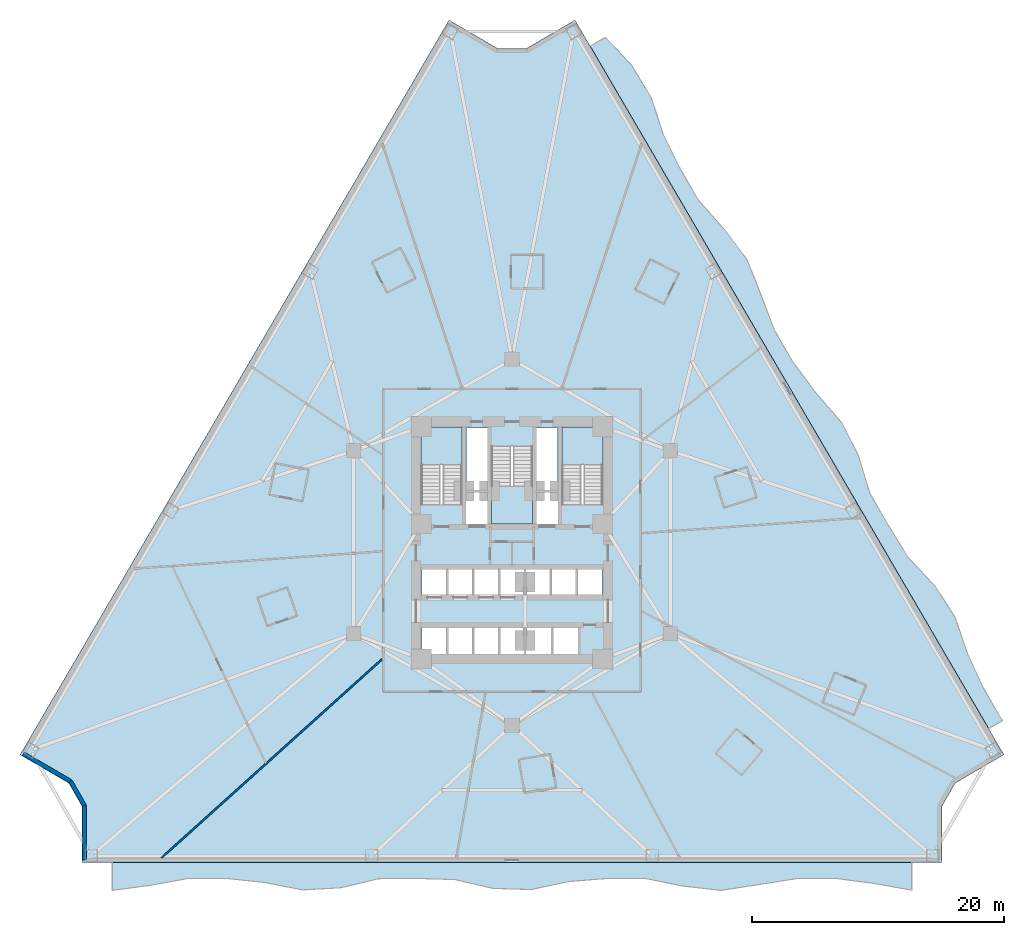
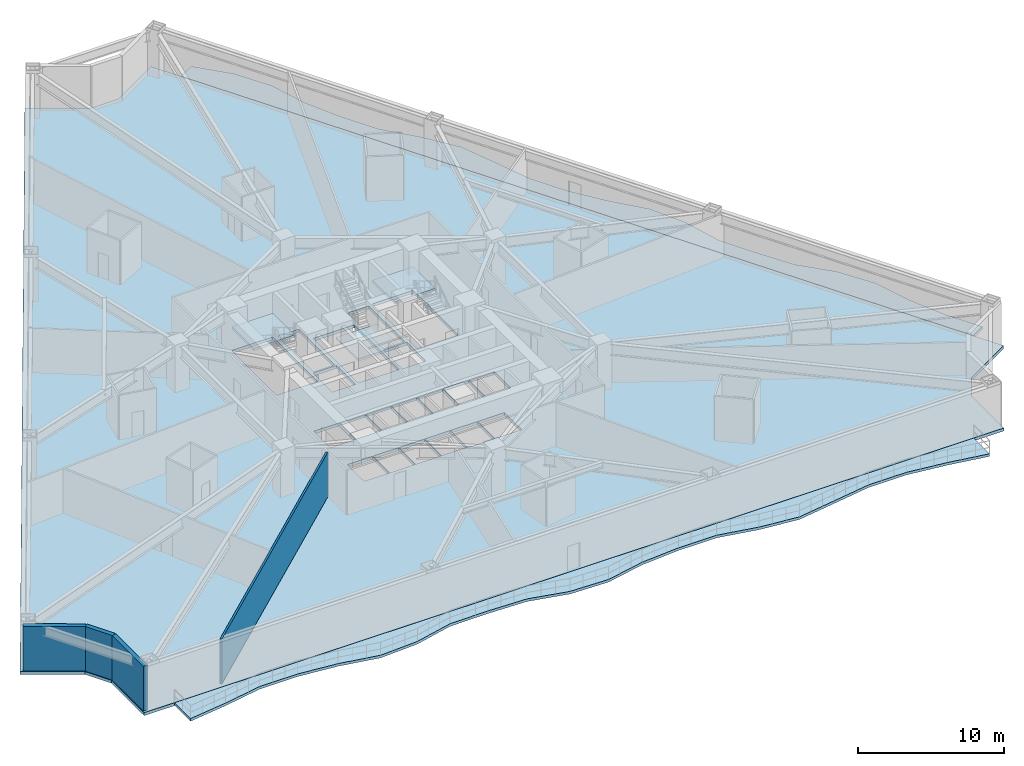
# One storey, part 2 of 10: 6 slabs, 4 walls, 3 elements without a shape of their own.
"""IFC4 building model written with IfcOpenShell, lengths in metres."""

from ifc_helpers import new_model, si_unit, direction, frame, frame_2d, origin, place, context, subcontext, project, spatial, polyline, rectangle, outline, extrude, material, layer, layer_set, type_object, element, aggregate, save


model = new_model("IFC4")

# Units and contexts
model_context = context("Model", 3, precision=1e-05, world=origin(), true_north=direction((0.0, 1.0)))
body_context = subcontext(model_context, "Body", "Model", "MODEL_VIEW")
ifc_project = project(units=[si_unit("LENGTHUNIT", "METRE"), si_unit("AREAUNIT", "SQUARE_METRE"), si_unit("VOLUMEUNIT", "CUBIC_METRE"), si_unit("PLANEANGLEUNIT", "RADIAN"), si_unit("MASSUNIT", "GRAM", prefix="KILO")], contexts=[model_context])

# Site, building, storey
site_placement = place(None, origin())
site = spatial("IfcSite", under=ifc_project, at=site_placement, CompositionType="ELEMENT")
building_placement = place(site_placement, origin())
building = spatial("IfcBuilding", under=site, at=building_placement, Name="Apsidion Concourse Tower", CompositionType="ELEMENT")
storey_placement = place(building_placement, frame((0.0, 0.0, 38.39990234375)))
storey = spatial("IfcBuildingStorey", under=building, at=storey_placement, Name="L07", CompositionType="ELEMENT", Elevation=38.39990234375)

# Slabs
ifc_material_1 = material(Name="Concrete C50/60", Category="concrete")
ifc_layer_1 = layer(ifc_material_1, 0.219970703125)
ifc_layer_set_1 = layer_set([ifc_layer_1], Name="Concrete C50/60")
slab_type_1 = type_object("IfcSlabType", Name="SL-BAL-220", PredefinedType="FLOOR", material=ifc_layer_set_1)
slab_1_placement = place(storey_placement, frame((0.0, 0.0, -0.219970703125)))
element("IfcSlab", 1, at=slab_1_placement, inside=storey, type_object=slab_type_1, Name="L07 Face 2 Rippling Balcony Slab", PredefinedType="FLOOR", context=body_context, shape_type="SweptSolid", body=[
    extrude(outline(polyline([(-31.68798828125, -25.39990234375), (-28.670166015625, -25.39990234375), (-25.65234375, -25.39990234375), (-22.634521484375, -25.39990234375), (-19.616455078125, -25.39990234375), (-16.598388671875, -25.39990234375), (-13.58056640625, -25.39990234375), (-10.562744140625, -25.39990234375), (-7.544921875, -25.39990234375), (-4.52685546875, -25.39990234375), (-1.509033203125, -25.39990234375), (1.509033203125, -25.39990234375), (4.52685546875, -25.39990234375), (7.544921875, -25.39990234375), (10.562744140625, -25.39990234375), (13.58056640625, -25.39990234375), (16.598388671875, -25.39990234375), (19.616455078125, -25.39990234375), (22.634521484375, -25.39990234375), (25.65234375, -25.39990234375), (28.670166015625, -25.39990234375), (31.68798828125, -25.39990234375), (31.68798828125, -27.58056640625), (28.670166015625, -27.041259765625), (25.65234375, -26.64990234375), (22.634521484375, -26.64990234375), (19.616455078125, -27.125244140625), (16.598388671875, -27.595947265625), (13.58056640625, -27.260498046875), (10.562744140625, -26.64990234375), (7.544921875, -26.64990234375), (4.52685546875, -26.895263671875), (1.509033203125, -27.529541015625), (-1.509033203125, -27.44091796875), (-4.52685546875, -26.73974609375), (-7.544921875, -26.64990234375), (-10.562744140625, -26.672119140625), (-13.58056640625, -27.389892578125), (-16.598388671875, -27.558837890625), (-19.616455078125, -26.96826171875), (-22.634521484375, -26.64990234375), (-25.65234375, -26.64990234375), (-28.670166015625, -27.194580078125), (-31.68798828125, -27.60009765625), (-31.68798828125, -25.39990234375)])), origin(), (0.0, 0.0, 1.0), 0.219970703125),
])
slab_2_placement = place(storey_placement, frame((0.0, 0.0, -0.219970703125)))
element("IfcSlab", 2, at=slab_2_placement, inside=storey, type_object=slab_type_1, Name="L07 Face 3 Rippling Balcony Slab", PredefinedType="FLOOR", context=body_context, shape_type="SweptSolid", body=[
    extrude(outline(polyline([(37.789306640625, -14.772705078125), (36.285400390625, -12.19677734375), (34.78125, -9.620849609375), (33.277099609375, -7.044921875), (31.773193359375, -4.468994140625), (30.269287109375, -1.892822265625), (28.76513671875, 0.68310546875), (27.260986328125, 3.259033203125), (25.757080078125, 5.8349609375), (24.253173828125, 8.410888671875), (22.7490234375, 10.987060546875), (21.2451171875, 13.56298828125), (19.740966796875, 16.138916015625), (18.237060546875, 18.715087890625), (16.73291015625, 21.291015625), (15.22900390625, 23.866943359375), (13.724853515625, 26.44287109375), (12.220947265625, 29.018798828125), (10.716796875, 31.594970703125), (9.212890625, 34.1708984375), (7.708740234375, 36.746826171875), (6.204833984375, 39.32275390625), (7.403564453125, 40.022705078125), (9.493896484375, 37.7890625), (11.03857421875, 35.23681640625), (11.98779296875, 32.3369140625), (13.30029296875, 29.649169921875), (14.804443359375, 27.0732421875), (16.833251953125, 24.8037109375), (18.63037109375, 22.398681640625), (19.744384765625, 19.594970703125), (20.820556640625, 16.769287109375), (22.324462890625, 14.193359375), (24.125244140625, 11.79052734375), (26.122314453125, 9.50244140625), (27.470703125, 6.835693359375), (28.36083984375, 3.901123046875), (29.844482421875, 1.313232421875), (31.410400390625, -1.2265625), (33.519287109375, -3.449462890625), (35.1298828125, -5.963134765625), (36.1123046875, -8.84375), (37.36474609375, -11.566650390625), (38.868896484375, -14.142578125), (37.789306640625, -14.772705078125)])), origin(), (0.0, 0.0, 1.0), 0.219970703125),
])
ifc_layer_2 = layer(ifc_material_1, 0.25)
ifc_layer_set_2 = layer_set([ifc_layer_2], Name="Concrete C50/60")
slab_type_2 = type_object("IfcSlabType", Name="SL-FLR-250", PredefinedType="FLOOR", material=ifc_layer_set_2)
slab_3_placement = place(storey_placement, frame((0.0, 0.0, -0.25)))
element("IfcSlab", 3, at=slab_3_placement, inside=storey, type_object=slab_type_2, Name="L07 Structural Floor Slab", PredefinedType="FLOOR", context=body_context, shape_type="SweptSolid", body=[
    extrude(outline(polyline([(4.99462890625, 41.3955078125), (1.13427734375, 39.141357421875), (-1.13427734375, 39.141357421875), (-4.99462890625, 41.3955078125), (-38.99951171875, -16.845458984375), (-35.138916015625, -19.099365234375), (-34.088134765625, -20.9296875), (-34.088134765625, -25.39990234375), (34.088134765625, -25.39990234375), (34.088134765625, -20.9296875), (35.138916015625, -19.099365234375), (38.99951171875, -16.845458984375), (4.99462890625, 41.3955078125)]), holes=[polyline([(-3.949951171875, 3.0), (-3.949951171875, 9.14990234375), (-7.199951171875, 9.14990234375), (-7.199951171875, 3.0), (-3.949951171875, 3.0)]), polyline([(7.199951171875, 3.0), (7.199951171875, 9.14990234375), (3.949951171875, 9.14990234375), (3.949951171875, 3.0), (7.199951171875, 3.0)]), polyline([(-1.625, 7.60009765625), (-1.625, 1.449951171875), (1.625, 1.449951171875), (1.625, 7.60009765625), (-1.625, 7.60009765625)]), polyline([(-7.14501953125, -4.300048828125), (-5.155029296875, -4.300048828125), (-5.155029296875, -2.050048828125), (-7.14501953125, -2.050048828125), (-7.14501953125, -4.300048828125)]), polyline([(-5.094970703125, -4.300048828125), (-3.10498046875, -4.300048828125), (-3.10498046875, -2.050048828125), (-5.094970703125, -2.050048828125), (-5.094970703125, -4.300048828125)]), polyline([(-3.044921875, -4.300048828125), (-1.054931640625, -4.300048828125), (-1.054931640625, -2.050048828125), (-3.044921875, -2.050048828125), (-3.044921875, -4.300048828125)]), polyline([(-0.9951171875, -4.300048828125), (0.9951171875, -4.300048828125), (0.9951171875, -2.050048828125), (-0.9951171875, -2.050048828125), (-0.9951171875, -4.300048828125)]), polyline([(1.054931640625, -4.300048828125), (3.044921875, -4.300048828125), (3.044921875, -2.050048828125), (1.054931640625, -2.050048828125), (1.054931640625, -4.300048828125)]), polyline([(3.10498046875, -4.300048828125), (5.094970703125, -4.300048828125), (5.094970703125, -2.050048828125), (3.10498046875, -2.050048828125), (3.10498046875, -4.300048828125)]), polyline([(5.155029296875, -4.300048828125), (7.14501953125, -4.300048828125), (7.14501953125, -2.050048828125), (5.155029296875, -2.050048828125), (5.155029296875, -4.300048828125)]), polyline([(-7.14501953125, -8.949951171875), (-5.155029296875, -8.949951171875), (-5.155029296875, -6.64990234375), (-7.14501953125, -6.64990234375), (-7.14501953125, -8.949951171875)]), polyline([(-5.094970703125, -8.949951171875), (-3.10498046875, -8.949951171875), (-3.10498046875, -6.64990234375), (-5.094970703125, -6.64990234375), (-5.094970703125, -8.949951171875)]), polyline([(-3.044921875, -8.949951171875), (-1.054931640625, -8.949951171875), (-1.054931640625, -6.64990234375), (-3.044921875, -6.64990234375), (-3.044921875, -8.949951171875)]), polyline([(-0.9951171875, -8.949951171875), (0.9951171875, -8.949951171875), (0.9951171875, -6.64990234375), (-0.9951171875, -6.64990234375), (-0.9951171875, -8.949951171875)]), polyline([(1.044921875, -9.0), (3.155029296875, -9.0), (3.155029296875, -6.64990234375), (1.044921875, -6.64990234375), (1.044921875, -9.0)]), polyline([(3.195068359375, -9.0), (5.304931640625, -9.0), (5.304931640625, -6.64990234375), (3.195068359375, -6.64990234375), (3.195068359375, -9.0)]), polyline([(-3.7099609375, 1.39990234375), (-1.85009765625, 1.39990234375), (-1.85009765625, 4.0), (-3.7099609375, 4.0), (-3.7099609375, 1.39990234375)]), polyline([(1.85009765625, 1.39990234375), (3.7099609375, 1.39990234375), (3.7099609375, 4.0), (1.85009765625, 4.0), (1.85009765625, 1.39990234375)]), polyline([(-3.6201171875, 4.14990234375), (-1.93994140625, 4.14990234375), (-1.93994140625, 9.050048828125), (-3.6201171875, 9.050048828125), (-3.6201171875, 4.14990234375)]), polyline([(1.93994140625, 4.14990234375), (3.6201171875, 4.14990234375), (3.6201171875, 9.050048828125), (1.93994140625, 9.050048828125), (1.93994140625, 4.14990234375)])]), origin(), (0.0, 0.0, 1.0), 0.25),
])

# Stair, slab
ifc_material_2 = material(Name="Precast concrete C40/50", Category="concrete")
stair_type = type_object("IfcStairType", Name="ST-DL-1550", PredefinedType="HALF_TURN_STAIR", material=ifc_material_2)
stair_1_placement = place(storey_placement, origin())
stair_1 = element("IfcStair", 4, at=stair_1_placement, inside=storey, type_object=stair_type, Name="L07 Protected Core Exit Stair ST1", PredefinedType="HALF_TURN_STAIR")
ifc_layer_3 = layer(ifc_material_1, 0.199951171875)
ifc_layer_set_3 = layer_set([ifc_layer_3], Name="Concrete C50/60")
slab_type_3 = type_object("IfcSlabType", Name="SL-ST-LAND-200", PredefinedType="LANDING", material=ifc_layer_set_3)
slab_4_placement = place(storey_placement, frame((0.0, 0.0, 1.800048828125)))
slab_4 = element("IfcSlab", 5, at=slab_4_placement, type_object=slab_type_3, Name="ST1 landing 1", PredefinedType="LANDING", context=body_context, shape_type="SweptSolid", body=[
    extrude(outline(polyline([(-3.949951171875, 6.135009765625), (-3.949951171875, 9.14990234375), (-7.199951171875, 9.14990234375), (-7.199951171875, 6.135009765625), (-3.949951171875, 6.135009765625)])), origin(), (0.0, 0.0, 1.0), 0.199951171875),
])
aggregate(stair_1, [slab_4])

stair_2_placement = place(storey_placement, origin())
stair_2 = element("IfcStair", 6, at=stair_2_placement, inside=storey, type_object=stair_type, Name="L07 Protected Core Exit Stair ST2", PredefinedType="HALF_TURN_STAIR")
slab_5_placement = place(storey_placement, frame((0.0, 0.0, 1.800048828125)))
slab_5 = element("IfcSlab", 7, at=slab_5_placement, type_object=slab_type_3, Name="ST2 landing 1", PredefinedType="LANDING", context=body_context, shape_type="SweptSolid", body=[
    extrude(outline(polyline([(7.199951171875, 6.135009765625), (7.199951171875, 9.14990234375), (3.949951171875, 9.14990234375), (3.949951171875, 6.135009765625), (7.199951171875, 6.135009765625)])), origin(), (0.0, 0.0, 1.0), 0.199951171875),
])
aggregate(stair_2, [slab_5])

stair_3_placement = place(storey_placement, origin())
stair_3 = element("IfcStair", 8, at=stair_3_placement, inside=storey, type_object=stair_type, Name="L07 Protected Core Exit Stair ST3", PredefinedType="HALF_TURN_STAIR")
slab_6_placement = place(storey_placement, frame((0.0, 0.0, 1.800048828125)))
slab_6 = element("IfcSlab", 9, at=slab_6_placement, type_object=slab_type_3, Name="ST3 landing 1", PredefinedType="LANDING", context=body_context, shape_type="SweptSolid", body=[
    extrude(outline(polyline([(-1.625, 4.465087890625), (-1.625, 1.449951171875), (1.625, 1.449951171875), (1.625, 4.465087890625), (-1.625, 4.465087890625)])), origin(), (0.0, 0.0, 1.0), 0.199951171875),
])
aggregate(stair_3, [slab_6])

# Walls
ifc_layer_4 = layer(ifc_material_2, 0.320068359375)
ifc_layer_set_4 = layer_set([ifc_layer_4], Name="Precast concrete C40/50")
wall_type_1 = type_object("IfcWallType", Name="WL-EXT-320", PredefinedType="STANDARD", material=ifc_layer_set_4)
wall_1_placement = place(storey_placement, frame((-33.88818359375, -25.199951171875, 0.0), z_axis=(0.0, 0.0, 1.0), x_axis=(0.0, 1.0, 0.0)))
element("IfcWall", 10, at=wall_1_placement, inside=storey, type_object=wall_type_1, Name="L07 Precast Stone Facade Wall 06", PredefinedType="STANDARD", context=body_context, shape_type="SweptSolid", body=[
    extrude(rectangle(XDim=4.32373046875, YDim=0.320068359375, at=frame_2d((2.161865234375, 0.0))), origin(), (0.0, 0.0, 1.0), 3.75),
])
wall_2_placement = place(storey_placement, frame((-33.88818359375, -20.876220703125, 0.0), z_axis=(0.0, 0.0, 1.0), x_axis=(-0.497881323344, 0.867245171717, 0.0)))
element("IfcWall", 11, at=wall_2_placement, inside=storey, type_object=wall_type_1, Name="L07 Precast Stone Facade Wall 07", PredefinedType="STANDARD", context=body_context, shape_type="SweptSolid", body=[
    extrude(rectangle(XDim=2.216796875, YDim=0.320068359375, at=frame_2d((1.1083984375, 0.0))), origin(), (0.0, 0.0, 1.0), 3.75),
])
wall_3_placement = place(storey_placement, frame((-34.991943359375, -18.95361328125, 0.0), z_axis=(0.0, 0.0, 1.0), x_axis=(-0.863569936823, 0.504229079105, 0.0)))
element("IfcWall", 12, at=wall_3_placement, inside=storey, type_object=wall_type_1, Name="L07 Precast Stone Facade Wall 08", PredefinedType="STANDARD", context=body_context, shape_type="SweptSolid", body=[
    extrude(rectangle(XDim=4.32373046875, YDim=0.320068359375, at=frame_2d((2.161865234375, 0.0))), origin(), (0.0, 0.0, 1.0), 3.75),
])
ifc_material_3 = material(Name="Gypsum plasterboard partition")
ifc_layer_5 = layer(ifc_material_3, 0.14990234375)
ifc_layer_set_5 = layer_set([ifc_layer_5], Name="Gypsum plasterboard partition")
wall_type_2 = type_object("IfcWallType", Name="WL-INT-PAR-150", PredefinedType="PARTITIONING", material=ifc_layer_set_5)
wall_4_placement = place(storey_placement, frame((-10.304931640625, -9.27880859375, 0.0), z_axis=(0.0, 0.0, 1.0), x_axis=(-0.743153814776, -0.669120622596, 0.0)))
element("IfcWall", 13, at=wall_4_placement, inside=storey, type_object=wall_type_2, Name="L07 Interior Partition WL-L07-RAD-07-1", PredefinedType="PARTITIONING", context=body_context, shape_type="SweptSolid", body=[
    extrude(rectangle(XDim=23.532470703125, YDim=0.14990234375, at=frame_2d((11.76611328125, 0.0))), origin(), (0.0, 0.0, 1.0), 3.75),
])

save(model, "model.ifc")
